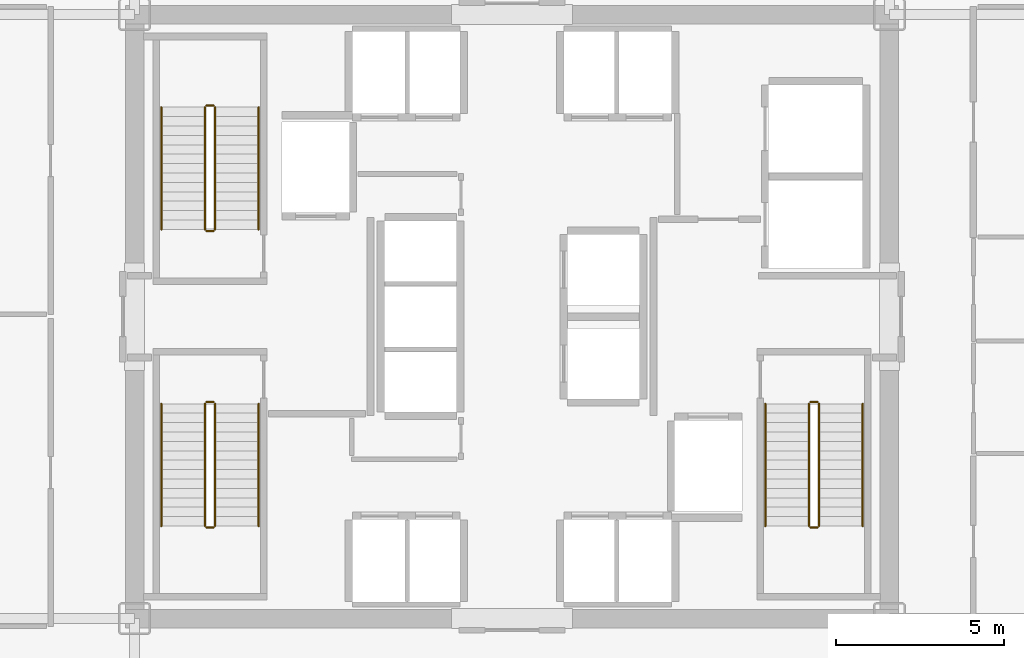
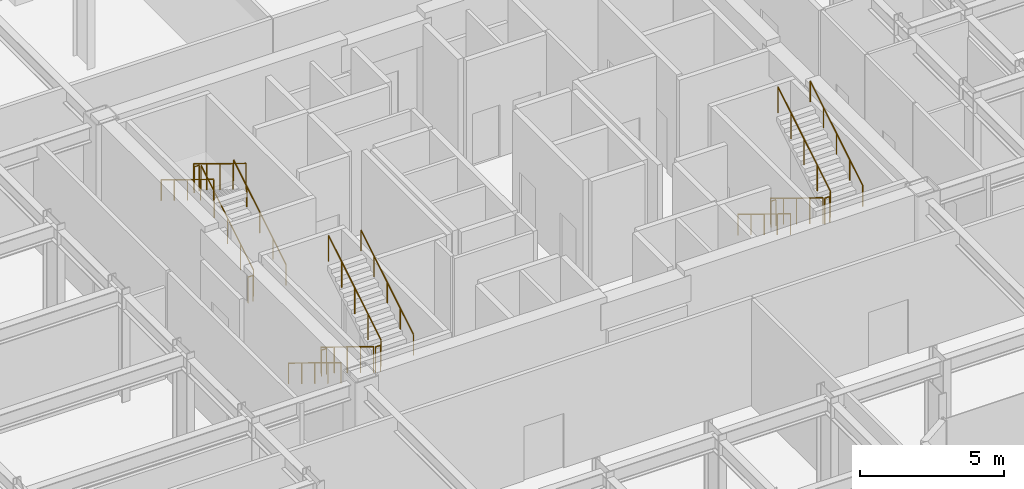
# One storey, part 25 of 27: 18 railings.
"""IFC4 building model written with IfcOpenShell, lengths in metres."""

from ifc_helpers import new_model, si_unit, direction, frame, origin, origin_2d, place, context, subcontext, project, spatial, circle, extrude, material, type_object, element, save


model = new_model("IFC4")

# Units and contexts
model_context = context("Model", 3, precision=1e-05, world=origin(), true_north=direction((0.0, 1.0)))
body_context = subcontext(model_context, "Body", "Model", "MODEL_VIEW")
ifc_project = project(units=[si_unit("LENGTHUNIT", "METRE"), si_unit("AREAUNIT", "SQUARE_METRE"), si_unit("VOLUMEUNIT", "CUBIC_METRE"), si_unit("PLANEANGLEUNIT", "RADIAN"), si_unit("MASSUNIT", "GRAM", prefix="KILO")], contexts=[model_context])

# Site, building, storey
site_placement = place(None, origin())
site = spatial("IfcSite", under=ifc_project, at=site_placement, CompositionType="ELEMENT")
building_placement = place(site_placement, origin())
building = spatial("IfcBuilding", under=site, at=building_placement, Name="Nefas-Gora Pilgrimage Tower", CompositionType="ELEMENT")
storey_placement = place(building_placement, frame((0.0, 0.0, 144.0)))
storey = spatial("IfcBuildingStorey", under=building, at=storey_placement, Name="L35", CompositionType="ELEMENT", Elevation=144.0)

# Railings
ifc_material_1 = material(Name="Painted galvanised steel", Category="steel")
railing_type_1 = type_object("IfcRailingType", Name="RLG-STR-GUARD-1100", PredefinedType="GUARDRAIL", material=ifc_material_1)
railing_1_placement = place(storey_placement, frame((-8.85009765625, 2.60009765625, 0.17138671875)))
element("IfcRailing", 1, at=railing_1_placement, inside=storey, type_object=railing_type_1, Name="L35 ST-01 stair guard 1", PredefinedType="GUARDRAIL", context=body_context, shape_type="SweptSolid", body=[
    extrude(circle(Radius=0.02392578125, at=origin_2d()), frame((0.0, 0.0, 1.09619140625), z_axis=(0.0, 0.852850264322, 0.5221555579), x_axis=(-1.0, 0.0, 0.0)), (0.0, 0.0, 1.0), 4.267822265625),
    extrude(circle(Radius=0.02099609375, at=origin_2d()), origin(), (0.0, 0.0, 1.0), 1.072021484375),
    extrude(circle(Radius=0.02099609375, at=origin_2d()), frame((0.0, 0.909912109375, 0.55712890625)), (0.0, 0.0, 1.0), 1.072021484375),
    extrude(circle(Radius=0.02099609375, at=origin_2d()), frame((0.0, 1.81982421875, 1.1142578125)), (0.0, 0.0, 1.0), 1.072021484375),
    extrude(circle(Radius=0.02099609375, at=origin_2d()), frame((0.0, 2.72998046875, 1.67138671875)), (0.0, 0.0, 1.0), 1.072021484375),
    extrude(circle(Radius=0.02099609375, at=origin_2d()), frame((0.0, 3.639892578125, 2.228515625)), (0.0, 0.0, 1.0), 1.072021484375),
])
railing_2_placement = place(storey_placement, frame((-8.89990234375, 6.2900390625, 2.39990234375)))
element("IfcRailing", 2, at=railing_2_placement, inside=storey, type_object=railing_type_1, Name="L35 ST-01 stair guard 2", PredefinedType="GUARDRAIL", context=body_context, shape_type="SweptSolid", body=[
    extrude(circle(Radius=0.02392578125, at=origin_2d()), frame((0.0, 0.0, 1.09619140625), z_axis=(-1.0, 0.0, 0.0), x_axis=(0.0, -1.0, 0.0)), (0.0, 0.0, 1.0), 0.2001953125),
    extrude(circle(Radius=0.02099609375, at=origin_2d()), origin(), (0.0, 0.0, 1.0), 1.072021484375),
    extrude(circle(Radius=0.02099609375, at=origin_2d()), frame((-0.2001953125, 0.0, 0.0)), (0.0, 0.0, 1.0), 1.072021484375),
])
railing_3_placement = place(storey_placement, frame((-9.14990234375, 6.239990234375, 2.571533203125)))
element("IfcRailing", 3, at=railing_3_placement, inside=storey, type_object=railing_type_1, Name="L35 ST-01 stair guard 3", PredefinedType="GUARDRAIL", context=body_context, shape_type="SweptSolid", body=[
    extrude(circle(Radius=0.02392578125, at=origin_2d()), frame((0.0, 0.0, 1.09619140625), z_axis=(0.0, -0.852850264322, 0.5221555579), x_axis=(1.0, 0.0, 0.0)), (0.0, 0.0, 1.0), 4.267822265625),
    extrude(circle(Radius=0.02099609375, at=origin_2d()), origin(), (0.0, 0.0, 1.0), 1.072021484375),
    extrude(circle(Radius=0.02099609375, at=origin_2d()), frame((0.0, -0.909912109375, 0.55712890625)), (0.0, 0.0, 1.0), 1.072021484375),
    extrude(circle(Radius=0.02099609375, at=origin_2d()), frame((0.0, -1.81982421875, 1.1142578125)), (0.0, 0.0, 1.0), 1.072021484375),
    extrude(circle(Radius=0.02099609375, at=origin_2d()), frame((0.0, -2.72998046875, 1.67138671875)), (0.0, 0.0, 1.0), 1.072021484375),
    extrude(circle(Radius=0.02099609375, at=origin_2d()), frame((0.0, -3.639892578125, 2.228515625)), (0.0, 0.0, 1.0), 1.072021484375),
])
railing_4_placement = place(storey_placement, frame((-8.89990234375, 2.550048828125, 0.0)))
element("IfcRailing", 4, at=railing_4_placement, inside=storey, type_object=railing_type_1, Name="L35 ST-01 stair guard 4", PredefinedType="GUARDRAIL", context=body_context, shape_type="SweptSolid", body=[
    extrude(circle(Radius=0.02392578125, at=origin_2d()), frame((0.0, 0.0, 1.09619140625), z_axis=(-1.0, 0.0, 0.0), x_axis=(0.0, -1.0, 0.0)), (0.0, 0.0, 1.0), 0.2001953125),
    extrude(circle(Radius=0.02099609375, at=origin_2d()), origin(), (0.0, 0.0, 1.0), 1.072021484375),
    extrude(circle(Radius=0.02099609375, at=origin_2d()), frame((-0.2001953125, 0.0, 0.0)), (0.0, 0.0, 1.0), 1.072021484375),
])
railing_5_placement = place(storey_placement, frame((8.85009765625, -2.60009765625, 0.17138671875)))
element("IfcRailing", 5, at=railing_5_placement, inside=storey, type_object=railing_type_1, Name="L35 ST-02 stair guard 1", PredefinedType="GUARDRAIL", context=body_context, shape_type="SweptSolid", body=[
    extrude(circle(Radius=0.02392578125, at=origin_2d()), frame((0.0, 0.0, 1.09619140625), z_axis=(0.0, -0.852850264322, 0.5221555579), x_axis=(1.0, 0.0, 0.0)), (0.0, 0.0, 1.0), 4.267822265625),
    extrude(circle(Radius=0.02099609375, at=origin_2d()), origin(), (0.0, 0.0, 1.0), 1.072021484375),
    extrude(circle(Radius=0.02099609375, at=origin_2d()), frame((0.0, -0.909912109375, 0.55712890625)), (0.0, 0.0, 1.0), 1.072021484375),
    extrude(circle(Radius=0.02099609375, at=origin_2d()), frame((0.0, -1.81982421875, 1.1142578125)), (0.0, 0.0, 1.0), 1.072021484375),
    extrude(circle(Radius=0.02099609375, at=origin_2d()), frame((0.0, -2.72998046875, 1.67138671875)), (0.0, 0.0, 1.0), 1.072021484375),
    extrude(circle(Radius=0.02099609375, at=origin_2d()), frame((0.0, -3.639892578125, 2.228515625)), (0.0, 0.0, 1.0), 1.072021484375),
])
railing_6_placement = place(storey_placement, frame((8.89990234375, -6.2900390625, 2.39990234375)))
element("IfcRailing", 6, at=railing_6_placement, inside=storey, type_object=railing_type_1, Name="L35 ST-02 stair guard 2", PredefinedType="GUARDRAIL", context=body_context, shape_type="SweptSolid", body=[
    extrude(circle(Radius=0.02392578125, at=origin_2d()), frame((0.0, 0.0, 1.09619140625), z_axis=(1.0, 0.0, 0.0), x_axis=(0.0, 1.0, 0.0)), (0.0, 0.0, 1.0), 0.2001953125),
    extrude(circle(Radius=0.02099609375, at=origin_2d()), origin(), (0.0, 0.0, 1.0), 1.072021484375),
    extrude(circle(Radius=0.02099609375, at=origin_2d()), frame((0.2001953125, 0.0, 0.0)), (0.0, 0.0, 1.0), 1.072021484375),
])
railing_7_placement = place(storey_placement, frame((9.14990234375, -6.239990234375, 2.571533203125)))
element("IfcRailing", 7, at=railing_7_placement, inside=storey, type_object=railing_type_1, Name="L35 ST-02 stair guard 3", PredefinedType="GUARDRAIL", context=body_context, shape_type="SweptSolid", body=[
    extrude(circle(Radius=0.02392578125, at=origin_2d()), frame((0.0, 0.0, 1.09619140625), z_axis=(0.0, 0.852850264322, 0.5221555579), x_axis=(-1.0, 0.0, 0.0)), (0.0, 0.0, 1.0), 4.267822265625),
    extrude(circle(Radius=0.02099609375, at=origin_2d()), origin(), (0.0, 0.0, 1.0), 1.072021484375),
    extrude(circle(Radius=0.02099609375, at=origin_2d()), frame((0.0, 0.909912109375, 0.55712890625)), (0.0, 0.0, 1.0), 1.072021484375),
    extrude(circle(Radius=0.02099609375, at=origin_2d()), frame((0.0, 1.81982421875, 1.1142578125)), (0.0, 0.0, 1.0), 1.072021484375),
    extrude(circle(Radius=0.02099609375, at=origin_2d()), frame((0.0, 2.72998046875, 1.67138671875)), (0.0, 0.0, 1.0), 1.072021484375),
    extrude(circle(Radius=0.02099609375, at=origin_2d()), frame((0.0, 3.639892578125, 2.228515625)), (0.0, 0.0, 1.0), 1.072021484375),
])
railing_8_placement = place(storey_placement, frame((8.89990234375, -2.550048828125, 0.0)))
element("IfcRailing", 8, at=railing_8_placement, inside=storey, type_object=railing_type_1, Name="L35 ST-02 stair guard 4", PredefinedType="GUARDRAIL", context=body_context, shape_type="SweptSolid", body=[
    extrude(circle(Radius=0.02392578125, at=origin_2d()), frame((0.0, 0.0, 1.09619140625), z_axis=(1.0, 0.0, 0.0), x_axis=(0.0, 1.0, 0.0)), (0.0, 0.0, 1.0), 0.2001953125),
    extrude(circle(Radius=0.02099609375, at=origin_2d()), origin(), (0.0, 0.0, 1.0), 1.072021484375),
    extrude(circle(Radius=0.02099609375, at=origin_2d()), frame((0.2001953125, 0.0, 0.0)), (0.0, 0.0, 1.0), 1.072021484375),
])
railing_9_placement = place(storey_placement, frame((-9.14990234375, -2.60009765625, 0.17138671875)))
element("IfcRailing", 9, at=railing_9_placement, inside=storey, type_object=railing_type_1, Name="L35 ST-03 stair guard 1", PredefinedType="GUARDRAIL", context=body_context, shape_type="SweptSolid", body=[
    extrude(circle(Radius=0.02392578125, at=origin_2d()), frame((0.0, 0.0, 1.09619140625), z_axis=(0.0, -0.852850264322, 0.5221555579), x_axis=(1.0, 0.0, 0.0)), (0.0, 0.0, 1.0), 4.267822265625),
    extrude(circle(Radius=0.02099609375, at=origin_2d()), origin(), (0.0, 0.0, 1.0), 1.072021484375),
    extrude(circle(Radius=0.02099609375, at=origin_2d()), frame((0.0, -0.909912109375, 0.55712890625)), (0.0, 0.0, 1.0), 1.072021484375),
    extrude(circle(Radius=0.02099609375, at=origin_2d()), frame((0.0, -1.81982421875, 1.1142578125)), (0.0, 0.0, 1.0), 1.072021484375),
    extrude(circle(Radius=0.02099609375, at=origin_2d()), frame((0.0, -2.72998046875, 1.67138671875)), (0.0, 0.0, 1.0), 1.072021484375),
    extrude(circle(Radius=0.02099609375, at=origin_2d()), frame((0.0, -3.639892578125, 2.228515625)), (0.0, 0.0, 1.0), 1.072021484375),
])
railing_10_placement = place(storey_placement, frame((-9.10009765625, -6.2900390625, 2.39990234375)))
element("IfcRailing", 10, at=railing_10_placement, inside=storey, type_object=railing_type_1, Name="L35 ST-03 stair guard 2", PredefinedType="GUARDRAIL", context=body_context, shape_type="SweptSolid", body=[
    extrude(circle(Radius=0.02392578125, at=origin_2d()), frame((0.0, 0.0, 1.09619140625), z_axis=(1.0, 0.0, 0.0), x_axis=(0.0, 1.0, 0.0)), (0.0, 0.0, 1.0), 0.2001953125),
    extrude(circle(Radius=0.02099609375, at=origin_2d()), origin(), (0.0, 0.0, 1.0), 1.072021484375),
    extrude(circle(Radius=0.02099609375, at=origin_2d()), frame((0.2001953125, 0.0, 0.0)), (0.0, 0.0, 1.0), 1.072021484375),
])
railing_11_placement = place(storey_placement, frame((-8.85009765625, -6.239990234375, 2.571533203125)))
element("IfcRailing", 11, at=railing_11_placement, inside=storey, type_object=railing_type_1, Name="L35 ST-03 stair guard 3", PredefinedType="GUARDRAIL", context=body_context, shape_type="SweptSolid", body=[
    extrude(circle(Radius=0.02392578125, at=origin_2d()), frame((0.0, 0.0, 1.09619140625), z_axis=(0.0, 0.852850264322, 0.5221555579), x_axis=(-1.0, 0.0, 0.0)), (0.0, 0.0, 1.0), 4.267822265625),
    extrude(circle(Radius=0.02099609375, at=origin_2d()), origin(), (0.0, 0.0, 1.0), 1.072021484375),
    extrude(circle(Radius=0.02099609375, at=origin_2d()), frame((0.0, 0.909912109375, 0.55712890625)), (0.0, 0.0, 1.0), 1.072021484375),
    extrude(circle(Radius=0.02099609375, at=origin_2d()), frame((0.0, 1.81982421875, 1.1142578125)), (0.0, 0.0, 1.0), 1.072021484375),
    extrude(circle(Radius=0.02099609375, at=origin_2d()), frame((0.0, 2.72998046875, 1.67138671875)), (0.0, 0.0, 1.0), 1.072021484375),
    extrude(circle(Radius=0.02099609375, at=origin_2d()), frame((0.0, 3.639892578125, 2.228515625)), (0.0, 0.0, 1.0), 1.072021484375),
])
railing_12_placement = place(storey_placement, frame((-9.10009765625, -2.550048828125, 0.0)))
element("IfcRailing", 12, at=railing_12_placement, inside=storey, type_object=railing_type_1, Name="L35 ST-03 stair guard 4", PredefinedType="GUARDRAIL", context=body_context, shape_type="SweptSolid", body=[
    extrude(circle(Radius=0.02392578125, at=origin_2d()), frame((0.0, 0.0, 1.09619140625), z_axis=(1.0, 0.0, 0.0), x_axis=(0.0, 1.0, 0.0)), (0.0, 0.0, 1.0), 0.2001953125),
    extrude(circle(Radius=0.02099609375, at=origin_2d()), origin(), (0.0, 0.0, 1.0), 1.072021484375),
    extrude(circle(Radius=0.02099609375, at=origin_2d()), frame((0.2001953125, 0.0, 0.0)), (0.0, 0.0, 1.0), 1.072021484375),
])
ifc_material_2 = material(Name="Brushed stainless steel", Category="steel")
railing_type_2 = type_object("IfcRailingType", Name="RLG-STR-HAND-900", PredefinedType="HANDRAIL", material=ifc_material_2)
railing_13_placement = place(storey_placement, frame((-7.550048828125, 2.60009765625, 0.17138671875)))
element("IfcRailing", 13, at=railing_13_placement, inside=storey, type_object=railing_type_2, Name="L35 ST-01 stair handrail 1", PredefinedType="HANDRAIL", context=body_context, shape_type="SweptSolid", body=[
    extrude(circle(Radius=0.02392578125, at=origin_2d()), frame((0.0, 0.0, 0.8759765625), z_axis=(0.0, 0.852850264322, 0.5221555579), x_axis=(-1.0, 0.0, 0.0)), (0.0, 0.0, 1.0), 4.267822265625),
    extrude(circle(Radius=0.02099609375, at=origin_2d()), origin(), (0.0, 0.0, 1.0), 0.851806640625),
    extrude(circle(Radius=0.02099609375, at=origin_2d()), frame((0.0, 0.909912109375, 0.55712890625)), (0.0, 0.0, 1.0), 0.851806640625),
    extrude(circle(Radius=0.02099609375, at=origin_2d()), frame((0.0, 1.81982421875, 1.1142578125)), (0.0, 0.0, 1.0), 0.851806640625),
    extrude(circle(Radius=0.02099609375, at=origin_2d()), frame((0.0, 2.72998046875, 1.67138671875)), (0.0, 0.0, 1.0), 0.851806640625),
    extrude(circle(Radius=0.02099609375, at=origin_2d()), frame((0.0, 3.639892578125, 2.228515625)), (0.0, 0.0, 1.0), 0.851806640625),
])
for number, where, name in (
    (14, (-10.449951171875, 6.239990234375, 2.571533203125), "L35 ST-01 stair handrail 2"),
    (15, (7.550048828125, -2.60009765625, 0.17138671875), "L35 ST-02 stair handrail 1"),
):
    element("IfcRailing", number, at=place(storey_placement, frame(where)), inside=storey, type_object=railing_type_2, Name=name, PredefinedType="HANDRAIL", context=body_context, shape_type="SweptSolid", body=[
        extrude(circle(Radius=0.02392578125, at=origin_2d()), frame((0.0, 0.0, 0.8759765625), z_axis=(0.0, -0.852850264322, 0.5221555579), x_axis=(1.0, 0.0, 0.0)), (0.0, 0.0, 1.0), 4.267822265625),
        extrude(circle(Radius=0.02099609375, at=origin_2d()), origin(), (0.0, 0.0, 1.0), 0.851806640625),
        extrude(circle(Radius=0.02099609375, at=origin_2d()), frame((0.0, -0.909912109375, 0.55712890625)), (0.0, 0.0, 1.0), 0.851806640625),
        extrude(circle(Radius=0.02099609375, at=origin_2d()), frame((0.0, -1.81982421875, 1.1142578125)), (0.0, 0.0, 1.0), 0.851806640625),
        extrude(circle(Radius=0.02099609375, at=origin_2d()), frame((0.0, -2.72998046875, 1.67138671875)), (0.0, 0.0, 1.0), 0.851806640625),
        extrude(circle(Radius=0.02099609375, at=origin_2d()), frame((0.0, -3.639892578125, 2.228515625)), (0.0, 0.0, 1.0), 0.851806640625),
    ])
railing_14_placement = place(storey_placement, frame((10.449951171875, -6.239990234375, 2.571533203125)))
element("IfcRailing", 16, at=railing_14_placement, inside=storey, type_object=railing_type_2, Name="L35 ST-02 stair handrail 2", PredefinedType="HANDRAIL", context=body_context, shape_type="SweptSolid", body=[
    extrude(circle(Radius=0.02392578125, at=origin_2d()), frame((0.0, 0.0, 0.8759765625), z_axis=(0.0, 0.852850264322, 0.5221555579), x_axis=(-1.0, 0.0, 0.0)), (0.0, 0.0, 1.0), 4.267822265625),
    extrude(circle(Radius=0.02099609375, at=origin_2d()), origin(), (0.0, 0.0, 1.0), 0.851806640625),
    extrude(circle(Radius=0.02099609375, at=origin_2d()), frame((0.0, 0.909912109375, 0.55712890625)), (0.0, 0.0, 1.0), 0.851806640625),
    extrude(circle(Radius=0.02099609375, at=origin_2d()), frame((0.0, 1.81982421875, 1.1142578125)), (0.0, 0.0, 1.0), 0.851806640625),
    extrude(circle(Radius=0.02099609375, at=origin_2d()), frame((0.0, 2.72998046875, 1.67138671875)), (0.0, 0.0, 1.0), 0.851806640625),
    extrude(circle(Radius=0.02099609375, at=origin_2d()), frame((0.0, 3.639892578125, 2.228515625)), (0.0, 0.0, 1.0), 0.851806640625),
])
railing_15_placement = place(storey_placement, frame((-10.449951171875, -2.60009765625, 0.17138671875)))
element("IfcRailing", 17, at=railing_15_placement, inside=storey, type_object=railing_type_2, Name="L35 ST-03 stair handrail 1", PredefinedType="HANDRAIL", context=body_context, shape_type="SweptSolid", body=[
    extrude(circle(Radius=0.02392578125, at=origin_2d()), frame((0.0, 0.0, 0.8759765625), z_axis=(0.0, -0.852850264322, 0.5221555579), x_axis=(1.0, 0.0, 0.0)), (0.0, 0.0, 1.0), 4.267822265625),
    extrude(circle(Radius=0.02099609375, at=origin_2d()), origin(), (0.0, 0.0, 1.0), 0.851806640625),
    extrude(circle(Radius=0.02099609375, at=origin_2d()), frame((0.0, -0.909912109375, 0.55712890625)), (0.0, 0.0, 1.0), 0.851806640625),
    extrude(circle(Radius=0.02099609375, at=origin_2d()), frame((0.0, -1.81982421875, 1.1142578125)), (0.0, 0.0, 1.0), 0.851806640625),
    extrude(circle(Radius=0.02099609375, at=origin_2d()), frame((0.0, -2.72998046875, 1.67138671875)), (0.0, 0.0, 1.0), 0.851806640625),
    extrude(circle(Radius=0.02099609375, at=origin_2d()), frame((0.0, -3.639892578125, 2.228515625)), (0.0, 0.0, 1.0), 0.851806640625),
])
railing_16_placement = place(storey_placement, frame((-7.550048828125, -6.239990234375, 2.571533203125)))
element("IfcRailing", 18, at=railing_16_placement, inside=storey, type_object=railing_type_2, Name="L35 ST-03 stair handrail 2", PredefinedType="HANDRAIL", context=body_context, shape_type="SweptSolid", body=[
    extrude(circle(Radius=0.02392578125, at=origin_2d()), frame((0.0, 0.0, 0.8759765625), z_axis=(0.0, 0.852850264322, 0.5221555579), x_axis=(-1.0, 0.0, 0.0)), (0.0, 0.0, 1.0), 4.267822265625),
    extrude(circle(Radius=0.02099609375, at=origin_2d()), origin(), (0.0, 0.0, 1.0), 0.851806640625),
    extrude(circle(Radius=0.02099609375, at=origin_2d()), frame((0.0, 0.909912109375, 0.55712890625)), (0.0, 0.0, 1.0), 0.851806640625),
    extrude(circle(Radius=0.02099609375, at=origin_2d()), frame((0.0, 1.81982421875, 1.1142578125)), (0.0, 0.0, 1.0), 0.851806640625),
    extrude(circle(Radius=0.02099609375, at=origin_2d()), frame((0.0, 2.72998046875, 1.67138671875)), (0.0, 0.0, 1.0), 0.851806640625),
    extrude(circle(Radius=0.02099609375, at=origin_2d()), frame((0.0, 3.639892578125, 2.228515625)), (0.0, 0.0, 1.0), 0.851806640625),
])

save(model, "model.ifc")
